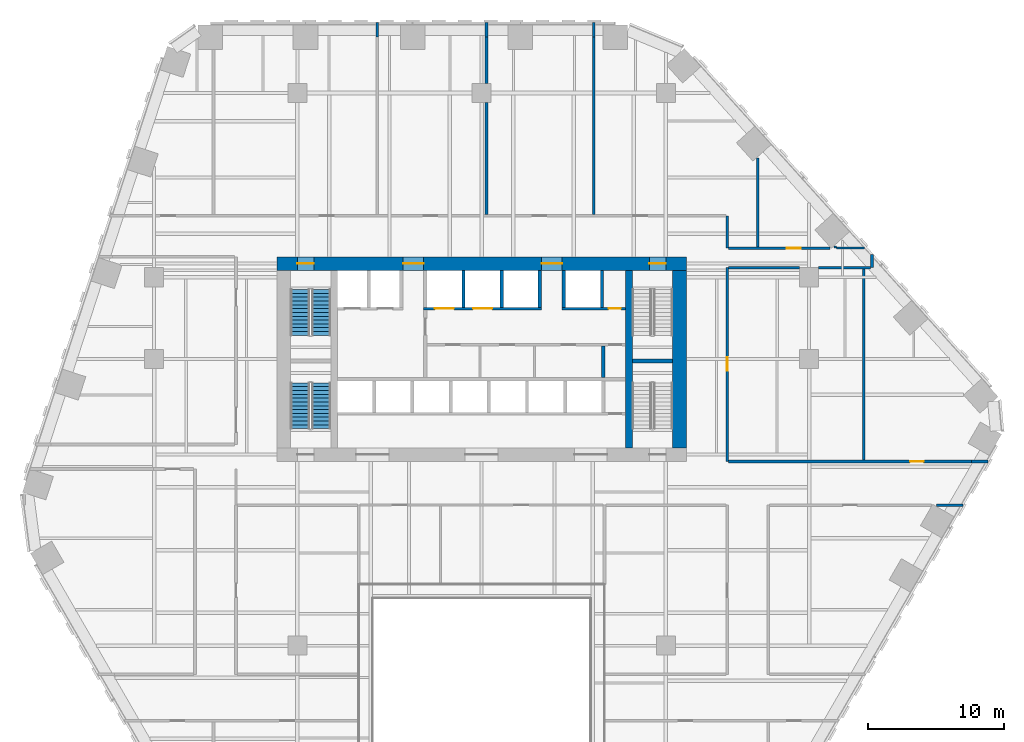
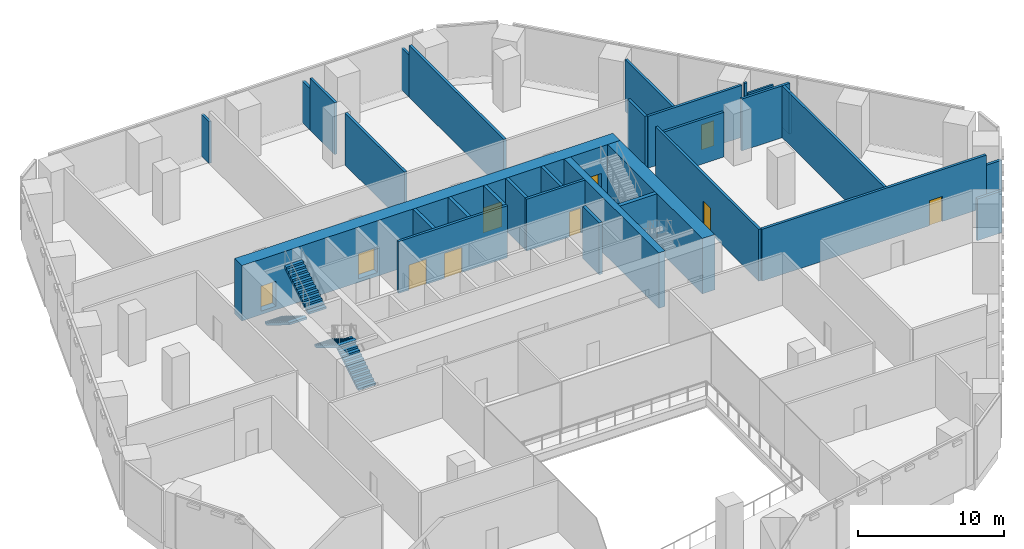
# One storey, part 16 of 19: 31 walls, 10 doors, 4 stair flights, 10 openings, 2 elements without a shape of their own.
"""IFC4 building model written with IfcOpenShell, lengths in metres."""

from ifc_helpers import new_model, si_unit, direction, frame, frame_2d, origin, place, context, subcontext, project, spatial, polyline, rectangle, outline, extrude, material, layer, layer_set, type_object, element, fill, aggregate, save


model = new_model("IFC4")

# Units and contexts
model_context = context("Model", 3, precision=1e-05, world=origin(), true_north=direction((0.0, 1.0)))
body_context = subcontext(model_context, "Body", "Model", "MODEL_VIEW")
ifc_project = project(units=[si_unit("LENGTHUNIT", "METRE"), si_unit("AREAUNIT", "SQUARE_METRE"), si_unit("VOLUMEUNIT", "CUBIC_METRE"), si_unit("PLANEANGLEUNIT", "RADIAN"), si_unit("MASSUNIT", "GRAM", prefix="KILO")], contexts=[model_context])

# Site, building, storey
site_placement = place(None, origin())
site = spatial("IfcSite", under=ifc_project, at=site_placement, CompositionType="ELEMENT")
building_placement = place(site_placement, origin())
building = spatial("IfcBuilding", under=site, at=building_placement, Name="Isthmus Gate Tower", CompositionType="ELEMENT")
storey_placement = place(building_placement, frame((0.0, 0.0, 76.14990234375)))
storey = spatial("IfcBuildingStorey", under=building, at=storey_placement, Name="L17", CompositionType="ELEMENT", Elevation=76.14990234375)

# Wall
ifc_material_1 = material(Name="Concrete f'c 30 MPa", Category="concrete")
ifc_layer_1 = layer(ifc_material_1, 0.199951171875)
ifc_layer_set_1 = layer_set([ifc_layer_1], Name="Fire-rated block wall 200")
wall_type_1 = type_object("IfcWallType", Name="Fire-rated block wall 200", PredefinedType="PARTITIONING", material=ifc_layer_set_1)
wall_1_placement = place(storey_placement, frame((33.3291015625, -3.199951171875, 0.0), z_axis=(0.0, 0.0, 1.0), x_axis=(1.0, 0.0, 0.0)))
element("IfcWall", 1, at=wall_1_placement, inside=storey, type_object=wall_type_1, Name="Fire-rated wall", PredefinedType="PARTITIONING", context=body_context, shape_type="SweptSolid", body=[
    extrude(rectangle(XDim=1.94384765625, YDim=0.199951171875, at=frame_2d((0.971923828125, 0.0))), origin(), (0.0, 0.0, 1.0), 3.5),
])

# Wall, opening, door
wall_2_placement = place(storey_placement, frame((18.10009765625, 0.0, 0.0), z_axis=(0.0, 0.0, 1.0), x_axis=(1.0, 0.0, 0.0)))
wall_2 = element("IfcWall", 2, at=wall_2_placement, inside=storey, type_object=wall_type_1, Name="Fire-rated wall", PredefinedType="PARTITIONING", context=body_context, shape_type="SweptSolid", body=[
    extrude(rectangle(XDim=17.81103515625, YDim=0.199951171875, at=frame_2d((8.905517578125, 0.0))), origin(), (0.0, 0.0, 1.0), 4.35009765625),
])
opening_1_placement = place(wall_2_placement, frame((13.300048828125, 0.0, 0.0)))
opening_1 = element("IfcOpeningElement", 3, at=opening_1_placement, cuts=wall_2, Name="Opening DP17-10", PredefinedType="OPENING", context=body_context, shape_type="SweptSolid", body=[
    extrude(rectangle(XDim=1.0, YDim=2.10009765625, at=frame_2d((0.5, 1.050048828125))), frame((0.0, 0.10986328125, 0.0), z_axis=(0.0, -1.0, 0.0), x_axis=(1.0, 0.0, 0.0)), (0.0, 0.0, 1.0), 0.219970703125),
])
ifc_material_2 = material(Name="Steel fire door with intumescent seals", Category="steel")
door_type_1 = type_object("IfcDoorType", Name="Fire door 1000 x 2100", OperationType="SINGLE_SWING_LEFT", PredefinedType="DOOR", material=ifc_material_2)
door_1_placement = place(opening_1_placement, origin())
door_1 = element("IfcDoor", 4, at=door_1_placement, inside=storey, type_object=door_type_1, Name="Door DP17-10", OperationType="SINGLE_SWING_LEFT", OverallHeight=2.10009765625, OverallWidth=1.0, PredefinedType="DOOR", context=body_context, shape_type="SweptSolid", body=[
    extrude(rectangle(XDim=1.0, YDim=2.10009765625, at=frame_2d((0.5, 1.050048828125))), frame((0.0, 0.02490234375, 0.0), z_axis=(0.0, -1.0, 0.0), x_axis=(1.0, 0.0, 0.0)), (0.0, 0.0, 1.0), 0.050048828125),
])
fill(opening_1, door_1)

# Walls
wall_3_placement = place(storey_placement, frame((35.9111328125, 0.0, 0.0), z_axis=(0.0, 0.0, 1.0), x_axis=(1.0, 0.0, 0.0)))
element("IfcWall", 5, at=wall_3_placement, inside=storey, type_object=wall_type_1, Name="Fire-rated wall", PredefinedType="PARTITIONING", context=body_context, shape_type="SweptSolid", body=[
    extrude(rectangle(XDim=1.209228515625, YDim=0.199951171875, at=frame_2d((0.6044921875, 0.0))), origin(), (0.0, 0.0, 1.0), 3.5),
])
wall_4_placement = place(storey_placement, frame((18.10009765625, 14.199951171875, 0.0), z_axis=(0.0, 0.0, 1.0), x_axis=(1.0, 0.0, 0.0)))
element("IfcWall", 6, at=wall_4_placement, inside=storey, type_object=wall_type_1, Name="Fire-rated wall", PredefinedType="PARTITIONING", context=body_context, shape_type="SweptSolid", body=[
    extrude(rectangle(XDim=5.199951171875, YDim=0.199951171875, at=frame_2d((2.60009765625, 0.0))), origin(), (0.0, 0.0, 1.0), 3.75),
])
wall_5_placement = place(storey_placement, frame((24.699951171875, 14.199951171875, 0.0), z_axis=(0.0, 0.0, 1.0), x_axis=(1.0, 0.0, 0.0)))
element("IfcWall", 7, at=wall_5_placement, inside=storey, type_object=wall_type_1, Name="Fire-rated wall", PredefinedType="PARTITIONING", context=body_context, shape_type="SweptSolid", body=[
    extrude(rectangle(XDim=3.81298828125, YDim=0.199951171875, at=frame_2d((1.906494140625, 0.0))), origin(), (0.0, 0.0, 1.0), 4.35009765625),
])

# Wall, opening, door
wall_6_placement = place(storey_placement, frame((18.10009765625, 15.62890625, 0.0), z_axis=(0.0, 0.0, 1.0), x_axis=(1.0, 0.0, 0.0)))
wall_6 = element("IfcWall", 8, at=wall_6_placement, inside=storey, type_object=wall_type_1, Name="Fire-rated wall", PredefinedType="PARTITIONING", context=body_context, shape_type="SweptSolid", body=[
    extrude(rectangle(XDim=7.4345703125, YDim=0.199951171875, at=frame_2d((3.71728515625, 0.0))), origin(), (0.0, 0.0, 1.0), 4.35009765625),
])
opening_2_placement = place(wall_6_placement, frame((4.27734375, 0.0, 0.0)))
opening_2 = element("IfcOpeningElement", 9, at=opening_2_placement, cuts=wall_6, Name="Opening DP17-08", PredefinedType="OPENING", context=body_context, shape_type="SweptSolid", body=[
    extrude(rectangle(XDim=1.0, YDim=2.10009765625, at=frame_2d((0.5, 1.050048828125))), frame((0.0, 0.10986328125, 0.0), z_axis=(0.0, -1.0, 0.0), x_axis=(1.0, 0.0, 0.0)), (0.0, 0.0, 1.0), 0.219970703125),
])
door_2_placement = place(opening_2_placement, origin())
door_2 = element("IfcDoor", 10, at=door_2_placement, inside=storey, type_object=door_type_1, Name="Door DP17-08", OperationType="SINGLE_SWING_LEFT", OverallHeight=2.10009765625, OverallWidth=1.0, PredefinedType="DOOR", context=body_context, shape_type="SweptSolid", body=[
    extrude(rectangle(XDim=1.0, YDim=2.10009765625, at=frame_2d((0.5, 1.050048828125))), frame((0.0, 0.02490234375, 0.0), z_axis=(0.0, -1.0, 0.0), x_axis=(1.0, 0.0, 0.0)), (0.0, 0.0, 1.0), 0.050048828125),
])
fill(opening_2, door_2)

# Walls
wall_7_placement = place(storey_placement, frame((-7.64599609375, 31.10009765625, 0.0), z_axis=(0.0, 0.0, 1.0), x_axis=(0.0, 1.0, 0.0)))
element("IfcWall", 11, at=wall_7_placement, inside=storey, type_object=wall_type_1, Name="Fire-rated wall", PredefinedType="PARTITIONING", context=body_context, shape_type="SweptSolid", body=[
    extrude(rectangle(XDim=1.06982421875, YDim=0.199951171875, at=frame_2d((0.534912109375, 0.0))), origin(), (0.0, 0.0, 1.0), 3.5),
])
wall_8_placement = place(storey_placement, frame((0.35400390625, 18.10009765625, 0.0), z_axis=(0.0, 0.0, 1.0), x_axis=(0.0, 1.0, 0.0)))
element("IfcWall", 12, at=wall_8_placement, inside=storey, type_object=wall_type_1, Name="Fire-rated wall", PredefinedType="PARTITIONING", context=body_context, shape_type="SweptSolid", body=[
    extrude(rectangle(XDim=8.199951171875, YDim=0.199951171875, at=frame_2d((4.10009765625, 0.0))), origin(), (0.0, 0.0, 1.0), 4.35009765625),
])
wall_9_placement = place(storey_placement, frame((0.35400390625, 27.699951171875, 0.0), z_axis=(0.0, 0.0, 1.0), x_axis=(0.0, 1.0, 0.0)))
element("IfcWall", 13, at=wall_9_placement, inside=storey, type_object=wall_type_1, Name="Fire-rated wall", PredefinedType="PARTITIONING", context=body_context, shape_type="SweptSolid", body=[
    extrude(rectangle(XDim=3.400146484375, YDim=0.199951171875, at=frame_2d((1.7001953125, 0.0))), origin(), (0.0, 0.0, 1.0), 4.35009765625),
])
wall_10_placement = place(storey_placement, frame((0.35400390625, 31.10009765625, 0.0), z_axis=(0.0, 0.0, 1.0), x_axis=(0.0, 1.0, 0.0)))
element("IfcWall", 14, at=wall_10_placement, inside=storey, type_object=wall_type_1, Name="Fire-rated wall", PredefinedType="PARTITIONING", context=body_context, shape_type="SweptSolid", body=[
    extrude(rectangle(XDim=1.06982421875, YDim=0.199951171875, at=frame_2d((0.534912109375, 0.0))), origin(), (0.0, 0.0, 1.0), 3.5),
])
wall_11_placement = place(storey_placement, frame((8.22705078125, 18.10009765625, 0.0), z_axis=(0.0, 0.0, 1.0), x_axis=(0.0, 1.0, 0.0)))
element("IfcWall", 15, at=wall_11_placement, inside=storey, type_object=wall_type_1, Name="Fire-rated wall", PredefinedType="PARTITIONING", context=body_context, shape_type="SweptSolid", body=[
    extrude(rectangle(XDim=13.0, YDim=0.199951171875, at=frame_2d((6.5, 0.0))), origin(), (0.0, 0.0, 1.0), 4.35009765625),
])
wall_12_placement = place(storey_placement, frame((8.22705078125, 31.10009765625, 0.0), z_axis=(0.0, 0.0, 1.0), x_axis=(0.0, 1.0, 0.0)))
element("IfcWall", 16, at=wall_12_placement, inside=storey, type_object=wall_type_1, Name="Fire-rated wall", PredefinedType="PARTITIONING", context=body_context, shape_type="SweptSolid", body=[
    extrude(rectangle(XDim=1.06982421875, YDim=0.199951171875, at=frame_2d((0.534912109375, 0.0))), origin(), (0.0, 0.0, 1.0), 3.5),
])

# Wall, opening, door
wall_13_placement = place(storey_placement, frame((18.0, 0.0, 0.0), z_axis=(0.0, 0.0, 1.0), x_axis=(0.0, 1.0, 0.0)))
wall_13 = element("IfcWall", 17, at=wall_13_placement, inside=storey, type_object=wall_type_1, Name="Fire-rated wall", PredefinedType="PARTITIONING", context=body_context, shape_type="SweptSolid", body=[
    extrude(rectangle(XDim=14.199951171875, YDim=0.199951171875, at=frame_2d((7.10009765625, 0.0))), origin(), (0.0, 0.0, 1.0), 4.35009765625),
])
opening_3_placement = place(wall_13_placement, frame((6.64990234375, 0.0, 0.0)))
opening_3 = element("IfcOpeningElement", 18, at=opening_3_placement, cuts=wall_13, Name="Opening DP17-09", PredefinedType="OPENING", context=body_context, shape_type="SweptSolid", body=[
    extrude(rectangle(XDim=1.0, YDim=2.10009765625, at=frame_2d((0.5, 1.050048828125))), frame((0.0, 0.10986328125, 0.0), z_axis=(0.0, -1.0, 0.0), x_axis=(1.0, 0.0, 0.0)), (0.0, 0.0, 1.0), 0.219970703125),
])
door_3_placement = place(opening_3_placement, origin())
door_3 = element("IfcDoor", 19, at=door_3_placement, inside=storey, type_object=door_type_1, Name="Door DP17-09", OperationType="SINGLE_SWING_LEFT", OverallHeight=2.10009765625, OverallWidth=1.0, PredefinedType="DOOR", context=body_context, shape_type="SweptSolid", body=[
    extrude(rectangle(XDim=1.0, YDim=2.10009765625, at=frame_2d((0.5, 1.050048828125))), frame((0.0, 0.02490234375, 0.0), z_axis=(0.0, -1.0, 0.0), x_axis=(1.0, 0.0, 0.0)), (0.0, 0.0, 1.0), 0.050048828125),
])
fill(opening_3, door_3)

# Walls
wall_14_placement = place(storey_placement, frame((18.0, 15.62939453125, 0.0), z_axis=(0.0, 0.0, 1.0), x_axis=(0.0, 1.0, 0.0)))
element("IfcWall", 20, at=wall_14_placement, inside=storey, type_object=wall_type_1, Name="Fire-rated wall", PredefinedType="PARTITIONING", context=body_context, shape_type="SweptSolid", body=[
    extrude(rectangle(XDim=2.37060546875, YDim=0.199951171875, at=frame_2d((1.185302734375, 0.0))), origin(), (0.0, 0.0, 1.0), 4.35009765625),
])
wall_15_placement = place(storey_placement, frame((20.22705078125, 15.72900390625, 0.0), z_axis=(0.0, 0.0, 1.0), x_axis=(0.0, 1.0, 0.0)))
element("IfcWall", 21, at=wall_15_placement, inside=storey, type_object=wall_type_1, Name="Fire-rated wall", PredefinedType="PARTITIONING", context=body_context, shape_type="SweptSolid", body=[
    extrude(rectangle(XDim=6.508544921875, YDim=0.199951171875, at=frame_2d((3.25439453125, 0.0))), origin(), (0.0, 0.0, 1.0), 4.35009765625),
])
wall_16_placement = place(storey_placement, frame((25.912109375, 15.63037109375, 0.0), z_axis=(0.0, 0.0, 1.0), x_axis=(0.0, 1.0, 0.0)))
element("IfcWall", 22, at=wall_16_placement, inside=storey, type_object=wall_type_1, Name="Fire-rated wall", PredefinedType="PARTITIONING", context=body_context, shape_type="SweptSolid", body=[
    extrude(rectangle(XDim=0.167724609375, YDim=0.199951171875, at=frame_2d((0.083984375, 0.0))), origin(), (0.0, 0.0, 1.0), 4.35009765625),
])
wall_17_placement = place(storey_placement, frame((28.0, 0.10009765625, 0.0), z_axis=(0.0, 0.0, 1.0), x_axis=(0.0, 1.0, 0.0)))
element("IfcWall", 23, at=wall_17_placement, inside=storey, type_object=wall_type_1, Name="Fire-rated wall", PredefinedType="PARTITIONING", context=body_context, shape_type="SweptSolid", body=[
    extrude(rectangle(XDim=14.0, YDim=0.199951171875, at=frame_2d((7.0, 0.0))), origin(), (0.0, 0.0, 1.0), 4.35009765625),
])
wall_18_placement = place(storey_placement, frame((28.613037109375, 14.199951171875, 0.0), z_axis=(0.0, 0.0, 1.0), x_axis=(0.0, 1.0, 0.0)))
element("IfcWall", 24, at=wall_18_placement, inside=storey, type_object=wall_type_1, Name="Fire-rated wall", PredefinedType="PARTITIONING", context=body_context, shape_type="SweptSolid", body=[
    extrude(rectangle(XDim=0.969970703125, YDim=0.199951171875, at=frame_2d((0.48486328125, 0.0))), origin(), (0.0, 0.0, 1.0), 3.5),
])
ifc_material_3 = material(Name="Gypsum board on cold-formed steel studs", Category="steel")
ifc_layer_2 = layer(ifc_material_3, 0.14990234375)
ifc_layer_set_2 = layer_set([ifc_layer_2])
wall_type_2 = type_object("IfcWallType", Name="Partition 150 gypsum board on steel studs", PredefinedType="PARTITIONING", material=ifc_layer_set_2)
wall_19_placement = place(storey_placement, frame((26.011962890625, 15.62890625, 0.0), z_axis=(0.0, 0.0, 1.0), x_axis=(1.0, 0.0, 0.0)))
element("IfcWall", 25, at=wall_19_placement, inside=storey, type_object=wall_type_2, Name="Partition", PredefinedType="PARTITIONING", context=body_context, shape_type="SweptSolid", body=[
    extrude(rectangle(XDim=2.034912109375, YDim=0.14990234375, at=frame_2d((1.017578125, 0.0))), origin(), (0.0, 0.0, 1.0), 3.5),
])
ifc_material_4 = material(Name="Concrete f'c 70 MPa", Category="concrete")
ifc_layer_3 = layer(ifc_material_4, 0.5)
ifc_layer_set_3 = layer_set([ifc_layer_3], Name="RC CORE SPINE WALL 500 F'C 70")
wall_type_3 = type_object("IfcWallType", Name="RC CORE SPINE WALL 500 F'C 70", PredefinedType="SOLIDWALL", material=ifc_layer_set_3)
wall_20_placement = place(storey_placement, frame((10.800048828125, 1.0, -0.2998046875), z_axis=(0.0, 0.0, 1.0), x_axis=(0.0, 1.0, 0.0)))
element("IfcWall", 26, at=wall_20_placement, inside=storey, type_object=wall_type_3, Name="str-corewall-L17-SPE", PredefinedType="SOLIDWALL", context=body_context, shape_type="SweptSolid", body=[
    extrude(rectangle(XDim=13.0, YDim=0.5, at=frame_2d((6.5, 0.0))), origin(), (0.0, 0.0, 1.0), 4.64990234375),
])

# Wall, openings, doors
ifc_material_5 = material(Name="Concrete f'c 70 MPa", Category="concrete")
ifc_layer_4 = layer(ifc_material_5, 1.0)
ifc_layer_set_4 = layer_set([ifc_layer_4], Name="RC CORE WALL 1000 F'C 70")
wall_type_4 = type_object("IfcWallType", Name="RC CORE WALL 1000 F'C 70", PredefinedType="SOLIDWALL", material=ifc_layer_set_4)
wall_21_placement = place(storey_placement, frame((-15.0, 14.5, -0.2998046875), z_axis=(0.0, 0.0, 1.0), x_axis=(1.0, 0.0, 0.0)))
wall_21 = element("IfcWall", 27, at=wall_21_placement, inside=storey, type_object=wall_type_4, Name="str-corewall-L17-N", PredefinedType="SOLIDWALL", context=body_context, shape_type="SweptSolid", body=[
    extrude(rectangle(XDim=30.0, YDim=1.0, at=frame_2d((15.0, 0.0))), origin(), (0.0, 0.0, 1.0), 4.64990234375),
])
opening_4_placement = place(wall_21_placement, frame((9.25, 0.0, 0.300048828125)))
opening_4 = element("IfcOpeningElement", 28, at=opening_4_placement, cuts=wall_21, Name="Opening DC-A06-11", PredefinedType="OPENING", context=body_context, shape_type="SweptSolid", body=[
    extrude(rectangle(XDim=1.5, YDim=2.10009765625, at=frame_2d((0.75, 1.050048828125))), frame((0.0, 0.510009765625, 0.0), z_axis=(0.0, -1.0, 0.0), x_axis=(1.0, 0.0, 0.0)), (0.0, 0.0, 1.0), 1.02001953125),
])
opening_5_placement = place(wall_21_placement, frame((19.39990234375, 0.0, 0.300048828125)))
opening_5 = element("IfcOpeningElement", 29, at=opening_5_placement, cuts=wall_21, Name="Opening DC-A06-12", PredefinedType="OPENING", context=body_context, shape_type="SweptSolid", body=[
    extrude(rectangle(XDim=1.5, YDim=2.10009765625, at=frame_2d((0.75, 1.050048828125))), frame((0.0, 0.510009765625, 0.0), z_axis=(0.0, -1.0, 0.0), x_axis=(1.0, 0.0, 0.0)), (0.0, 0.0, 1.0), 1.02001953125),
])
opening_6_placement = place(wall_21_placement, frame((1.5, 0.0, 0.300048828125)))
opening_6 = element("IfcOpeningElement", 30, at=opening_6_placement, cuts=wall_21, Name="Opening DC-A06-13", PredefinedType="OPENING", context=body_context, shape_type="SweptSolid", body=[
    extrude(rectangle(XDim=1.199951171875, YDim=2.10009765625, at=frame_2d((0.60009765625, 1.050048828125))), frame((0.0, 0.510009765625, 0.0), z_axis=(0.0, -1.0, 0.0), x_axis=(1.0, 0.0, 0.0)), (0.0, 0.0, 1.0), 1.02001953125),
])
opening_7_placement = place(wall_21_placement, frame((27.300048828125, 0.0, 0.300048828125)))
opening_7 = element("IfcOpeningElement", 31, at=opening_7_placement, cuts=wall_21, Name="Opening DC-A06-14", PredefinedType="OPENING", context=body_context, shape_type="SweptSolid", body=[
    extrude(rectangle(XDim=1.199951171875, YDim=2.10009765625, at=frame_2d((0.60009765625, 1.050048828125))), frame((0.0, 0.510009765625, 0.0), z_axis=(0.0, -1.0, 0.0), x_axis=(1.0, 0.0, 0.0)), (0.0, 0.0, 1.0), 1.02001953125),
])
ifc_material_6 = material(Name="Steel door leaf, fire-rated", Category="steel")
door_type_2 = type_object("IfcDoorType", Name="LOBBY FIRE DOOR 1500 X 2100 60 MIN", OperationType="DOUBLE_DOOR_SINGLE_SWING", PredefinedType="DOOR", material=ifc_material_6)
door_4_placement = place(opening_5_placement, origin())
door_4 = element("IfcDoor", 32, at=door_4_placement, inside=storey, type_object=door_type_2, Name="Lobby Door PN-E", OperationType="DOUBLE_DOOR_SINGLE_SWING", OverallHeight=2.10009765625, OverallWidth=1.5, PredefinedType="DOOR", context=body_context, shape_type="SweptSolid", body=[
    extrude(rectangle(XDim=1.5, YDim=2.10009765625, at=frame_2d((0.75, 1.050048828125))), frame((0.0, 0.02490234375, 0.0), z_axis=(0.0, -1.0, 0.0), x_axis=(1.0, 0.0, 0.0)), (0.0, 0.0, 1.0), 0.050048828125),
])
fill(opening_5, door_4)
ifc_material_7 = material(Name="Steel door leaf, fire-rated", Category="steel")
door_type_3 = type_object("IfcDoorType", Name="LOBBY FIRE DOOR 1500 X 2100 90 MIN", OperationType="DOUBLE_DOOR_SINGLE_SWING", PredefinedType="DOOR", material=ifc_material_7)
door_5_placement = place(opening_4_placement, origin())
door_5 = element("IfcDoor", 33, at=door_5_placement, inside=storey, type_object=door_type_3, Name="Lobby Door PN-W", OperationType="DOUBLE_DOOR_SINGLE_SWING", OverallHeight=2.10009765625, OverallWidth=1.5, PredefinedType="DOOR", context=body_context, shape_type="SweptSolid", body=[
    extrude(rectangle(XDim=1.5, YDim=2.10009765625, at=frame_2d((0.75, 1.050048828125))), frame((0.0, 0.02490234375, 0.0), z_axis=(0.0, -1.0, 0.0), x_axis=(1.0, 0.0, 0.0)), (0.0, 0.0, 1.0), 0.050048828125),
])
fill(opening_4, door_5)
ifc_material_8 = material(Name="Steel door leaf, fire-rated", Category="steel")
door_type_4 = type_object("IfcDoorType", Name="STAIR FIRE DOOR 1200 X 2100 90 MIN", OperationType="SINGLE_SWING_LEFT", PredefinedType="DOOR", material=ifc_material_8)
door_6_placement = place(opening_6_placement, origin())
door_6 = element("IfcDoor", 34, at=door_6_placement, inside=storey, type_object=door_type_4, Name="Exit Stair 1 Door", OperationType="SINGLE_SWING_RIGHT", OverallHeight=2.10009765625, OverallWidth=1.199951171875, PredefinedType="DOOR", context=body_context, shape_type="SweptSolid", body=[
    extrude(rectangle(XDim=1.199951171875, YDim=2.10009765625, at=frame_2d((0.60009765625, 1.050048828125))), frame((0.0, 0.02490234375, 0.0), z_axis=(0.0, -1.0, 0.0), x_axis=(1.0, 0.0, 0.0)), (0.0, 0.0, 1.0), 0.050048828125),
])
fill(opening_6, door_6)
door_7_placement = place(opening_7_placement, origin())
door_7 = element("IfcDoor", 35, at=door_7_placement, inside=storey, type_object=door_type_4, Name="Exit Stair 2 Door", OperationType="SINGLE_SWING_LEFT", OverallHeight=2.10009765625, OverallWidth=1.199951171875, PredefinedType="DOOR", context=body_context, shape_type="SweptSolid", body=[
    extrude(rectangle(XDim=1.199951171875, YDim=2.10009765625, at=frame_2d((0.60009765625, 1.050048828125))), frame((0.0, 0.02490234375, 0.0), z_axis=(0.0, -1.0, 0.0), x_axis=(1.0, 0.0, 0.0)), (0.0, 0.0, 1.0), 0.050048828125),
])
fill(opening_7, door_7)

# Wall
wall_22_placement = place(storey_placement, frame((14.5, 1.0, -0.2998046875), z_axis=(0.0, 0.0, 1.0), x_axis=(0.0, 1.0, 0.0)))
element("IfcWall", 36, at=wall_22_placement, inside=storey, type_object=wall_type_4, Name="str-corewall-L17-E", PredefinedType="SOLIDWALL", context=body_context, shape_type="SweptSolid", body=[
    extrude(rectangle(XDim=13.0, YDim=1.0, at=frame_2d((6.5, 0.0))), origin(), (0.0, 0.0, 1.0), 4.64990234375),
])

# Wall, openings, doors
ifc_material_9 = material(Name="Fire-rated blockwork masonry, 15 MPa", Category="masonry")
ifc_layer_5 = layer(ifc_material_9, 0.199951171875)
ifc_layer_set_5 = layer_set([ifc_layer_5], Name="SHAFT FRONT WALL 200 120 MIN")
wall_type_5 = type_object("IfcWallType", Name="SHAFT FRONT WALL 200 120 MIN", PredefinedType="PARTITIONING", material=ifc_layer_set_5)
wall_23_placement = place(storey_placement, frame((-4.25, 11.199951171875, 0.0), z_axis=(0.0, 0.0, 1.0), x_axis=(1.0, 0.0, 0.0)))
wall_23 = element("IfcWall", 37, at=wall_23_placement, inside=storey, type_object=wall_type_5, Name="L17 SHAFT FRONT WALL 200 120 MIN", PredefinedType="PARTITIONING", context=body_context, shape_type="SweptSolid", body=[
    extrude(rectangle(XDim=8.64990234375, YDim=0.199951171875, at=frame_2d((4.324951171875, 0.0))), origin(), (0.0, 0.0, 1.0), 4.35009765625),
])
opening_8_placement = place(wall_23_placement, frame((0.824951171875, 0.0, 0.0)))
opening_8 = element("IfcOpeningElement", 38, at=opening_8_placement, cuts=wall_23, Name="Opening LD-LV1", PredefinedType="OPENING", context=body_context, shape_type="SweptSolid", body=[
    extrude(rectangle(XDim=1.39990234375, YDim=2.10009765625, at=frame_2d((0.699951171875, 1.050048828125))), frame((0.0, 0.10986328125, 0.0), z_axis=(0.0, -1.0, 0.0), x_axis=(1.0, 0.0, 0.0)), (0.0, 0.0, 1.0), 0.219970703125),
])
opening_9_placement = place(wall_23_placement, frame((3.625, 0.0, 0.0)))
opening_9 = element("IfcOpeningElement", 39, at=opening_9_placement, cuts=wall_23, Name="Opening LD-LV2", PredefinedType="OPENING", context=body_context, shape_type="SweptSolid", body=[
    extrude(rectangle(XDim=1.39990234375, YDim=2.10009765625, at=frame_2d((0.699951171875, 1.050048828125))), frame((0.0, 0.10986328125, 0.0), z_axis=(0.0, -1.0, 0.0), x_axis=(1.0, 0.0, 0.0)), (0.0, 0.0, 1.0), 0.219970703125),
])
ifc_material_10 = material(Name="Stainless steel sliding leaf", Category="steel")
door_type_5 = type_object("IfcDoorType", Name="LIFT LANDING FIRE DOOR 1400 X 2100 90 MIN", OperationType="DOUBLE_DOOR_SLIDING", PredefinedType="DOOR", material=ifc_material_10)
door_8_placement = place(opening_8_placement, origin())
door_8 = element("IfcDoor", 40, at=door_8_placement, inside=storey, type_object=door_type_5, Name="Lift Landing Door LV1", OperationType="DOUBLE_DOOR_SLIDING", OverallHeight=2.10009765625, OverallWidth=1.39990234375, PredefinedType="DOOR", context=body_context, shape_type="SweptSolid", body=[
    extrude(rectangle(XDim=1.39990234375, YDim=2.10009765625, at=frame_2d((0.699951171875, 1.050048828125))), frame((0.0, 0.02490234375, 0.0), z_axis=(0.0, -1.0, 0.0), x_axis=(1.0, 0.0, 0.0)), (0.0, 0.0, 1.0), 0.050048828125),
])
fill(opening_8, door_8)
door_9_placement = place(opening_9_placement, origin())
door_9 = element("IfcDoor", 41, at=door_9_placement, inside=storey, type_object=door_type_5, Name="Lift Landing Door LV2", OperationType="DOUBLE_DOOR_SLIDING", OverallHeight=2.10009765625, OverallWidth=1.39990234375, PredefinedType="DOOR", context=body_context, shape_type="SweptSolid", body=[
    extrude(rectangle(XDim=1.39990234375, YDim=2.10009765625, at=frame_2d((0.699951171875, 1.050048828125))), frame((0.0, 0.02490234375, 0.0), z_axis=(0.0, -1.0, 0.0), x_axis=(1.0, 0.0, 0.0)), (0.0, 0.0, 1.0), 0.050048828125),
])
fill(opening_9, door_9)

# Wall, opening, door
wall_24_placement = place(storey_placement, frame((5.89990234375, 11.199951171875, 0.0), z_axis=(0.0, 0.0, 1.0), x_axis=(1.0, 0.0, 0.0)))
wall_24 = element("IfcWall", 42, at=wall_24_placement, inside=storey, type_object=wall_type_5, Name="L17 SHAFT FRONT WALL 200 120 MIN", PredefinedType="PARTITIONING", context=body_context, shape_type="SweptSolid", body=[
    extrude(rectangle(XDim=4.650146484375, YDim=0.199951171875, at=frame_2d((2.3251953125, 0.0))), origin(), (0.0, 0.0, 1.0), 4.35009765625),
])
opening_10_placement = place(wall_24_placement, frame((3.39990234375, 0.0, 0.0)))
opening_10 = element("IfcOpeningElement", 43, at=opening_10_placement, cuts=wall_24, Name="Opening DC-A06-07", PredefinedType="OPENING", context=body_context, shape_type="SweptSolid", body=[
    extrude(rectangle(XDim=0.89990234375, YDim=2.10009765625, at=frame_2d((0.449951171875, 1.050048828125))), frame((0.0, 0.10986328125, 0.0), z_axis=(0.0, -1.0, 0.0), x_axis=(1.0, 0.0, 0.0)), (0.0, 0.0, 1.0), 0.219970703125),
])
ifc_material_11 = material(Name="Steel door leaf, fire-rated", Category="steel")
door_type_6 = type_object("IfcDoorType", Name="RISER FIRE DOOR 900 X 2100 90 MIN", OperationType="SINGLE_SWING_LEFT", PredefinedType="DOOR", material=ifc_material_11)
door_10_placement = place(opening_10_placement, origin())
door_10 = element("IfcDoor", 44, at=door_10_placement, inside=storey, type_object=door_type_6, Name="Riser Door", OperationType="SINGLE_SWING_LEFT", OverallHeight=2.10009765625, OverallWidth=0.89990234375, PredefinedType="DOOR", context=body_context, shape_type="SweptSolid", body=[
    extrude(rectangle(XDim=0.89990234375, YDim=2.10009765625, at=frame_2d((0.449951171875, 1.050048828125))), frame((0.0, 0.02490234375, 0.0), z_axis=(0.0, -1.0, 0.0), x_axis=(1.0, 0.0, 0.0)), (0.0, 0.0, 1.0), 0.050048828125),
])
fill(opening_10, door_10)

# Walls
ifc_material_12 = material(Name="Fire-rated blockwork masonry, 15 MPa", Category="masonry")
ifc_layer_6 = layer(ifc_material_12, 0.25)
ifc_layer_set_6 = layer_set([ifc_layer_6], Name="SHAFT WALL 250 120 MIN")
wall_type_6 = type_object("IfcWallType", Name="SHAFT WALL 250 120 MIN", PredefinedType="PARTITIONING", material=ifc_layer_set_6)
wall_25_placement = place(storey_placement, frame((8.925048828125, 6.14990234375, 0.0), z_axis=(0.0, 0.0, 1.0), x_axis=(0.0, 1.0, 0.0)))
element("IfcWall", 45, at=wall_25_placement, inside=storey, type_object=wall_type_6, Name="L17 SHAFT WALL 250 120 MIN", PredefinedType="PARTITIONING", context=body_context, shape_type="SweptSolid", body=[
    extrude(rectangle(XDim=2.300048828125, YDim=0.25, at=frame_2d((1.14990234375, 0.0))), origin(), (0.0, 0.0, 1.0), 4.35009765625),
])
for number, where, z_axis, x_axis, name in (
    (46, (-1.324951171875, 11.300048828125, 0.0), (0.0, 0.0, 1.0), (0.0, 1.0, 0.0), "L17 SHAFT WALL 250 120 MIN"),
    (47, (1.47509765625, 11.300048828125, 0.0), (0.0, 0.0, 1.0), (0.0, 1.0, 0.0), "L17 SHAFT WALL 250 120 MIN"),
    (48, (4.27490234375, 11.300048828125, 0.0), (0.0, 0.0, 1.0), (0.0, 1.0, 0.0), "L17 SHAFT WALL 250 120 MIN"),
    (49, (6.02490234375, 11.300048828125, 0.0), (0.0, 0.0, 1.0), (0.0, 1.0, 0.0), "L17 SHAFT WALL 250 120 MIN"),
    (50, (8.824951171875, 11.300048828125, 0.0), (0.0, 0.0, 1.0), (0.0, 1.0, 0.0), "L17 SHAFT WALL 250 120 MIN"),
):
    element("IfcWall", number, at=place(storey_placement, frame(where, z_axis=z_axis, x_axis=x_axis)), inside=storey, type_object=wall_type_6, Name=name, PredefinedType="PARTITIONING", context=body_context, shape_type="SweptSolid", body=[
        extrude(rectangle(XDim=2.699951171875, YDim=0.25, at=frame_2d((1.35009765625, 0.0))), origin(), (0.0, 0.0, 1.0), 4.35009765625),
    ])
ifc_material_13 = material(Name="Concrete f'c 40 MPa", Category="concrete")
ifc_layer_7 = layer(ifc_material_13, 0.300048828125)
ifc_layer_set_7 = layer_set([ifc_layer_7], Name="STAIR ENCLOSURE WALL 300 180 MIN")
wall_type_7 = type_object("IfcWallType", Name="STAIR ENCLOSURE WALL 300 180 MIN", PredefinedType="SOLIDWALL", material=ifc_layer_set_7)
wall_26_placement = place(storey_placement, frame((11.050048828125, 7.35009765625, -0.2998046875), z_axis=(0.0, 0.0, 1.0), x_axis=(1.0, 0.0, 0.0)))
element("IfcWall", 51, at=wall_26_placement, inside=storey, type_object=wall_type_7, Name="L17 STAIR ENCLOSURE WALL 300 180 MIN", PredefinedType="SOLIDWALL", context=body_context, shape_type="SweptSolid", body=[
    extrude(rectangle(XDim=2.949951171875, YDim=0.300048828125, at=frame_2d((1.47509765625, 0.0))), origin(), (0.0, 0.0, 1.0), 4.64990234375),
])

# Stair, stair flights
ifc_material_14 = material(Name="Concrete f'c 40 MPa", Category="concrete")
stair_type = type_object("IfcStairType", Name="CORE STAIR 26 RISERS", PredefinedType="HALF_TURN_STAIR", material=ifc_material_14)
stair_1_placement = place(storey_placement, origin())
stair_1 = element("IfcStair", 52, at=stair_1_placement, inside=storey, type_object=stair_type, Name="L17 Exit Stair 1", PredefinedType="HALF_TURN_STAIR")
ifc_material_15 = material(Name="Concrete f'c 40 MPa", Category="concrete")
stair_flight_type = type_object("IfcStairFlightType", Name="STAIR FLIGHT RC 1400", PredefinedType="STRAIGHT", material=ifc_material_15)
stair_flight_1_placement = place(storey_placement, frame((-13.300048828125, 12.60009765625, 0.0), z_axis=(0.0, 0.0, 1.0), x_axis=(0.0, -1.0, 0.0)))
stair_flight_1 = element("IfcStairFlight", 53, at=stair_flight_1_placement, type_object=stair_flight_type, Name="ST1 flight 1", NumberOfRisers=13, NumberOfTreads=12, PredefinedType="STRAIGHT", RiserHeight=0.173076923, TreadLength=0.28, context=body_context, shape_type="SweptSolid", body=[
    extrude(outline(polyline([(0.0, 0.0), (0.0, 0.173095703125), (0.280029296875, 0.173095703125), (0.280029296875, 0.34619140625), (0.56005859375, 0.34619140625), (0.56005859375, 0.519287109375), (0.840087890625, 0.519287109375), (0.840087890625, 0.6923828125), (1.1201171875, 0.6923828125), (1.1201171875, 0.865478515625), (1.39990234375, 0.865478515625), (1.39990234375, 1.03857421875), (1.679931640625, 1.03857421875), (1.679931640625, 1.21142578125), (1.9599609375, 1.21142578125), (1.9599609375, 1.384521484375), (2.239990234375, 1.384521484375), (2.239990234375, 1.5576171875), (2.52001953125, 1.5576171875), (2.52001953125, 1.730712890625), (2.800048828125, 1.730712890625), (2.800048828125, 1.90380859375), (3.080078125, 1.90380859375), (3.080078125, 2.076904296875), (3.360107421875, 2.076904296875), (3.360107421875, 2.25), (3.360107421875, 1.900634765625), (0.28515625, 0.0), (0.0, 0.0)])), frame((0.0, 0.699951171875, 0.0), z_axis=(0.0, -1.0, 0.0), x_axis=(1.0, 0.0, 0.0)), (0.0, 0.0, 1.0), 1.39990234375),
])
stair_flight_2_placement = place(storey_placement, frame((-11.75, 9.239990234375, 2.25), z_axis=(0.0, 0.0, 1.0), x_axis=(0.0, 1.0, 0.0)))
stair_flight_2 = element("IfcStairFlight", 54, at=stair_flight_2_placement, type_object=stair_flight_type, Name="ST1 flight 2", NumberOfRisers=13, NumberOfTreads=12, PredefinedType="STRAIGHT", RiserHeight=0.173076923, TreadLength=0.28, context=body_context, shape_type="SweptSolid", body=[
    extrude(outline(polyline([(0.0, 0.0), (0.0, 0.173095703125), (0.280029296875, 0.173095703125), (0.280029296875, 0.34619140625), (0.56005859375, 0.34619140625), (0.56005859375, 0.519287109375), (0.840087890625, 0.519287109375), (0.840087890625, 0.6923828125), (1.1201171875, 0.6923828125), (1.1201171875, 0.865478515625), (1.39990234375, 0.865478515625), (1.39990234375, 1.03857421875), (1.679931640625, 1.03857421875), (1.679931640625, 1.21142578125), (1.9599609375, 1.21142578125), (1.9599609375, 1.384521484375), (2.239990234375, 1.384521484375), (2.239990234375, 1.5576171875), (2.52001953125, 1.5576171875), (2.52001953125, 1.730712890625), (2.800048828125, 1.730712890625), (2.800048828125, 1.90380859375), (3.080078125, 1.90380859375), (3.080078125, 2.076904296875), (3.360107421875, 2.076904296875), (3.360107421875, 2.25), (3.360107421875, 1.900634765625), (0.28515625, 0.0), (0.0, 0.0)])), frame((0.0, 0.699951171875, 0.0), z_axis=(0.0, -1.0, 0.0), x_axis=(1.0, 0.0, 0.0)), (0.0, 0.0, 1.0), 1.39990234375),
])
aggregate(stair_1, [stair_flight_1, stair_flight_2])

stair_2_placement = place(storey_placement, origin())
stair_2 = element("IfcStair", 55, at=stair_2_placement, inside=storey, type_object=stair_type, Name="L17 Exit Stair 7", PredefinedType="HALF_TURN_STAIR")
stair_flight_3_placement = place(storey_placement, frame((-11.75, 2.39990234375, 0.0), z_axis=(0.0, 0.0, 1.0), x_axis=(0.0, 1.0, 0.0)))
stair_flight_3 = element("IfcStairFlight", 56, at=stair_flight_3_placement, type_object=stair_flight_type, Name="ST7 flight 1", NumberOfRisers=13, NumberOfTreads=12, PredefinedType="STRAIGHT", RiserHeight=0.173076923, TreadLength=0.28, context=body_context, shape_type="SweptSolid", body=[
    extrude(outline(polyline([(0.0, 0.0), (0.0, 0.173095703125), (0.280029296875, 0.173095703125), (0.280029296875, 0.34619140625), (0.56005859375, 0.34619140625), (0.56005859375, 0.519287109375), (0.840087890625, 0.519287109375), (0.840087890625, 0.6923828125), (1.1201171875, 0.6923828125), (1.1201171875, 0.865478515625), (1.39990234375, 0.865478515625), (1.39990234375, 1.03857421875), (1.679931640625, 1.03857421875), (1.679931640625, 1.21142578125), (1.9599609375, 1.21142578125), (1.9599609375, 1.384521484375), (2.239990234375, 1.384521484375), (2.239990234375, 1.5576171875), (2.52001953125, 1.5576171875), (2.52001953125, 1.730712890625), (2.800048828125, 1.730712890625), (2.800048828125, 1.90380859375), (3.080078125, 1.90380859375), (3.080078125, 2.076904296875), (3.360107421875, 2.076904296875), (3.360107421875, 2.25), (3.360107421875, 1.900634765625), (0.28515625, 0.0), (0.0, 0.0)])), frame((0.0, 0.699951171875, 0.0), z_axis=(0.0, -1.0, 0.0), x_axis=(1.0, 0.0, 0.0)), (0.0, 0.0, 1.0), 1.39990234375),
])
stair_flight_4_placement = place(storey_placement, frame((-13.300048828125, 5.760009765625, 2.25), z_axis=(0.0, 0.0, 1.0), x_axis=(0.0, -1.0, 0.0)))
stair_flight_4 = element("IfcStairFlight", 57, at=stair_flight_4_placement, type_object=stair_flight_type, Name="ST7 flight 2", NumberOfRisers=13, NumberOfTreads=12, PredefinedType="STRAIGHT", RiserHeight=0.173076923, TreadLength=0.28, context=body_context, shape_type="SweptSolid", body=[
    extrude(outline(polyline([(0.0, 0.0), (0.0, 0.173095703125), (0.280029296875, 0.173095703125), (0.280029296875, 0.34619140625), (0.56005859375, 0.34619140625), (0.56005859375, 0.519287109375), (0.840087890625, 0.519287109375), (0.840087890625, 0.6923828125), (1.1201171875, 0.6923828125), (1.1201171875, 0.865478515625), (1.39990234375, 0.865478515625), (1.39990234375, 1.03857421875), (1.679931640625, 1.03857421875), (1.679931640625, 1.21142578125), (1.9599609375, 1.21142578125), (1.9599609375, 1.384521484375), (2.239990234375, 1.384521484375), (2.239990234375, 1.5576171875), (2.52001953125, 1.5576171875), (2.52001953125, 1.730712890625), (2.800048828125, 1.730712890625), (2.800048828125, 1.90380859375), (3.080078125, 1.90380859375), (3.080078125, 2.076904296875), (3.360107421875, 2.076904296875), (3.360107421875, 2.25), (3.360107421875, 1.900634765625), (0.28515625, 0.0), (0.0, 0.0)])), frame((0.0, 0.699951171875, 0.0), z_axis=(0.0, -1.0, 0.0), x_axis=(1.0, 0.0, 0.0)), (0.0, 0.0, 1.0), 1.39990234375),
])
aggregate(stair_2, [stair_flight_3, stair_flight_4])

save(model, "model.ifc")
